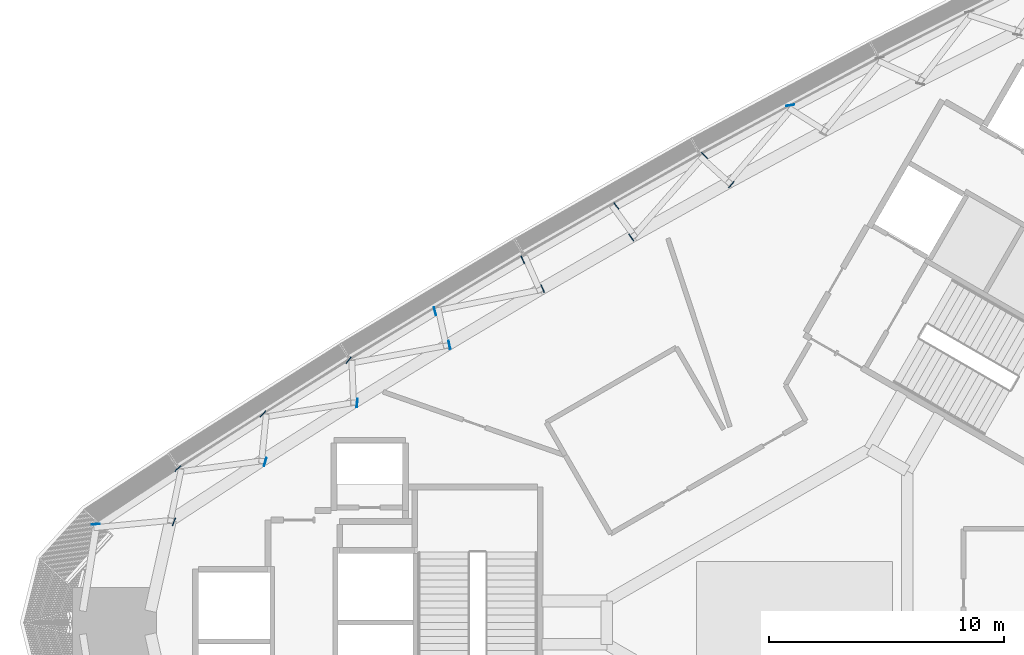
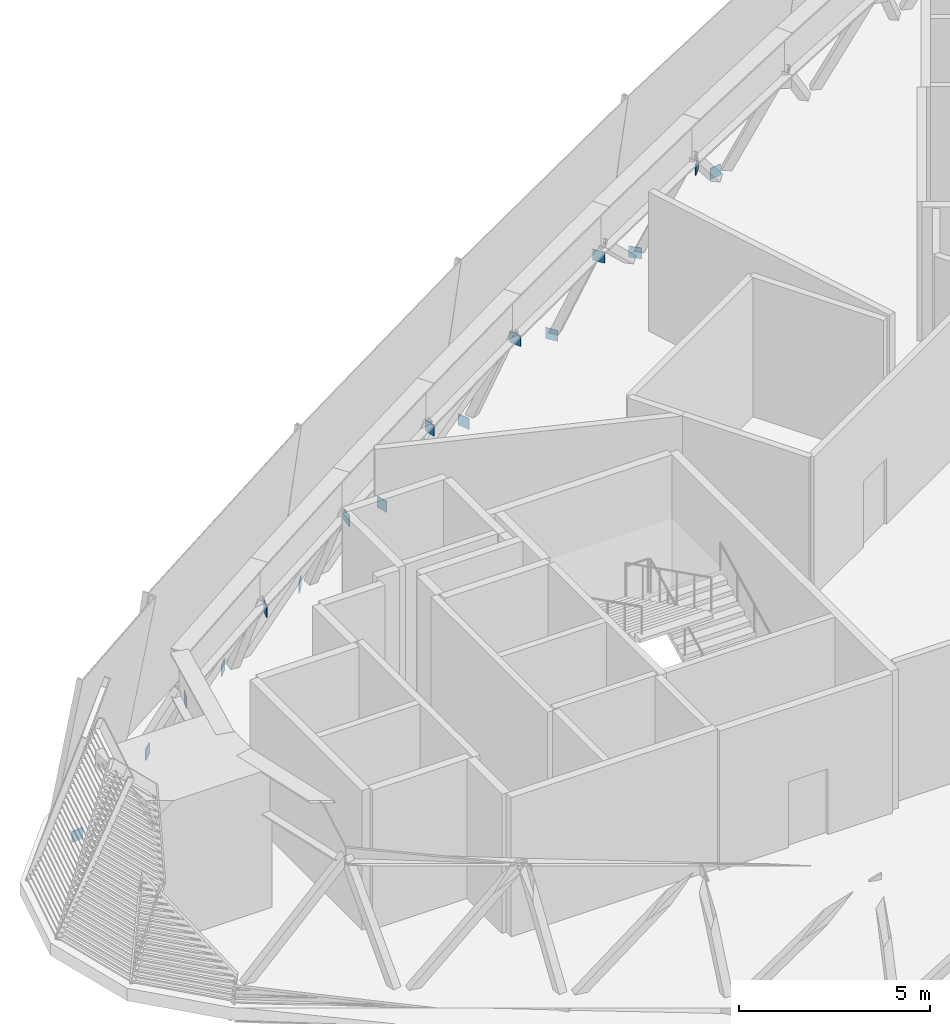
# One storey, part 8 of 18: 16 plates.
"""IFC4 building model written with IfcOpenShell, lengths in metres."""

from ifc_helpers import new_model, si_unit, direction, frame, origin, origin_2d, place, context, subcontext, project, spatial, rectangle, extrude, material, layer, layer_set, type_object, element, save


model = new_model("IFC4")

# Units and contexts
model_context = context("Model", 3, precision=1e-05, world=origin(), true_north=direction((0.0, 1.0)))
body_context = subcontext(model_context, "Body", "Model", "MODEL_VIEW")
ifc_project = project(units=[si_unit("LENGTHUNIT", "METRE"), si_unit("AREAUNIT", "SQUARE_METRE"), si_unit("VOLUMEUNIT", "CUBIC_METRE"), si_unit("PLANEANGLEUNIT", "RADIAN"), si_unit("MASSUNIT", "GRAM", prefix="KILO")], contexts=[model_context])

# Site, building, storey
site_placement = place(None, origin())
site = spatial("IfcSite", under=ifc_project, at=site_placement, CompositionType="ELEMENT")
building_placement = place(site_placement, origin())
building = spatial("IfcBuilding", under=site, at=building_placement, Name="Tamra Quay Hotel Tower", CompositionType="ELEMENT")
storey_placement = place(building_placement, frame((0.0, 0.0, 164.800048828125)))
storey = spatial("IfcBuildingStorey", under=building, at=storey_placement, Name="L41", CompositionType="ELEMENT", Elevation=164.800048828125)

# Plates
ifc_material = material(Name="Structural steel IS 2062 E350", Category="steel")
ifc_layer = layer(ifc_material, 0.030029296875)
ifc_layer_set = layer_set([ifc_layer], Name="BRACE END PLATE 30")
plate_type = type_object("IfcPlateType", Name="BRACE END PLATE 30", PredefinedType="SHEET", material=ifc_layer_set)
for number, where, z_axis, x_axis, name in (
    (1, (-0.17822265625, 22.052001953125, -0.400146484375), (0.0, 0.0, 1.0), (-0.150470608744, 0.988614482953, 0.0), "BEP-L41-016"),
    (2, (-3.835205078125, 19.90966796875, -0.400146484375), (0.0, 0.0, 1.0), (0.70431338343, 0.709889187072, 0.0), "BEP-L41-017"),
    (3, (-7.600830078125, 17.765625, -0.400146484375), (0.0, 0.0, 1.0), (0.807295192743, 0.590147838913, 0.0), "BEP-L41-018"),
    (4, (-11.585205078125, 15.465087890625, -0.400146484375), (0.0, 0.0, 1.0), (0.914722859214, 0.404081787305, 0.0), "BEP-L41-019"),
    (5, (-15.324462890625, 13.2763671875, -0.400146484375), (0.0, 0.0, 1.0), (0.966941877038, 0.254996875335, 0.0), "BEP-L41-020"),
    (6, (-19.00830078125, 11.180419921875, -0.400146484375), (0.0, 0.0, 1.0), (-0.780910329057, 0.624643144501, 0.0), "BEP-L41-021"),
    (7, (-22.660888671875, 8.896240234375, -0.400146484375), (0.0, 0.0, 1.0), (-0.728622053636, 0.684915982406, 0.0), "BEP-L41-022"),
    (8, (-26.286865234375, 6.5654296875, -0.400146484375), (0.0, 0.0, 1.0), (-0.680958639396, 0.732321876931, 0.0), "BEP-L41-023"),
    (9, (-29.785888671875, 4.19287109375, -0.400146484375), (0.0, 0.0, 1.0), (-0.09437937284, 0.995536304703, 0.0), "BEP-L41-024"),
    (10, (-2.694091796875, 18.668212890625, 2.699951171875), (0.0, 0.0, 1.0), (-0.750996826433, 0.660305813005, 0.0), "BEP-L41-050"),
    (11, (-6.961181640625, 16.41552734375, 2.699951171875), (0.0, 0.0, 1.0), (0.804749809795, 0.593614136991, 0.0), "BEP-L41-051"),
    (12, (-10.735595703125, 14.236328125, 2.699951171875), (0.0, 0.0, 1.0), (0.916459827577, 0.400126710478, 0.0), "BEP-L41-052"),
    (13, (-14.708984375, 11.83349609375, 2.699951171875), (0.0, 0.0, 1.0), (0.980536607065, 0.19633634968, 0.0), "BEP-L41-053"),
    (14, (-18.644287109375, 9.359375, 2.699951171875), (0.0, 0.0, 1.0), (-0.99401522574, 0.109241617518, 0.0), "BEP-L41-054"),
    (15, (-22.5625, 6.845703125, 2.699951171875), (0.0, 0.0, 1.0), (-0.956056925208, 0.293181097211, 0.0), "BEP-L41-055"),
    (16, (-26.451171875, 4.298095703125, 2.699951171875), (0.0, 0.0, 1.0), (-0.932593674954, 0.360928022515, 0.0), "BEP-L41-056"),
):
    element("IfcPlate", number, at=place(storey_placement, frame(where, z_axis=z_axis, x_axis=x_axis)), inside=storey, type_object=plate_type, Name=name, PredefinedType="SHEET", context=body_context, shape_type="SweptSolid", body=[
        extrude(rectangle(XDim=0.030029296875, YDim=0.35009765625, at=origin_2d()), origin(), (0.0, 0.0, 1.0), 0.35009765625),
    ])

save(model, "model.ifc")
